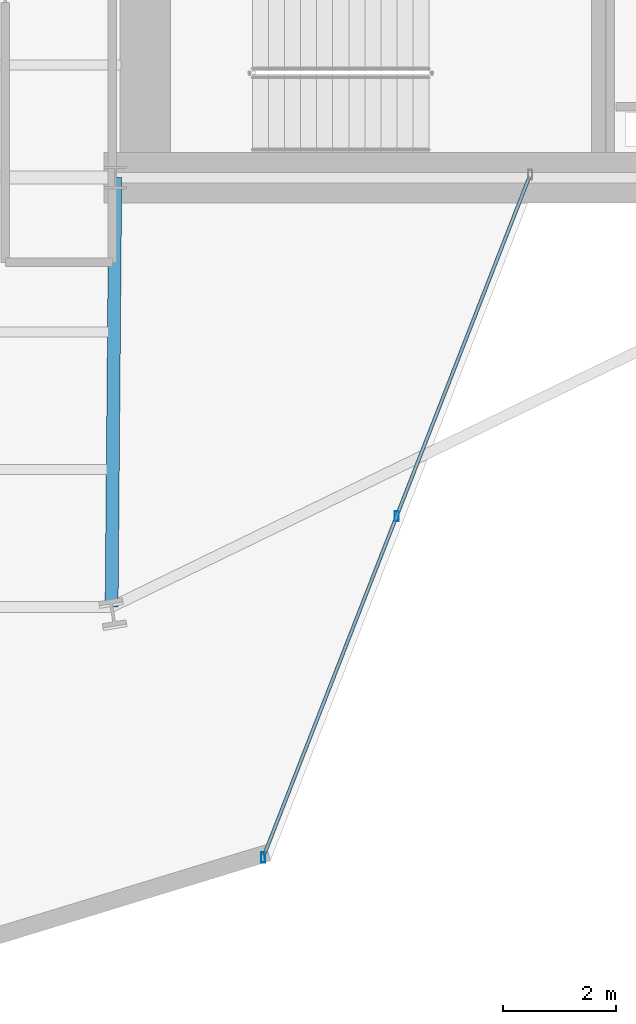
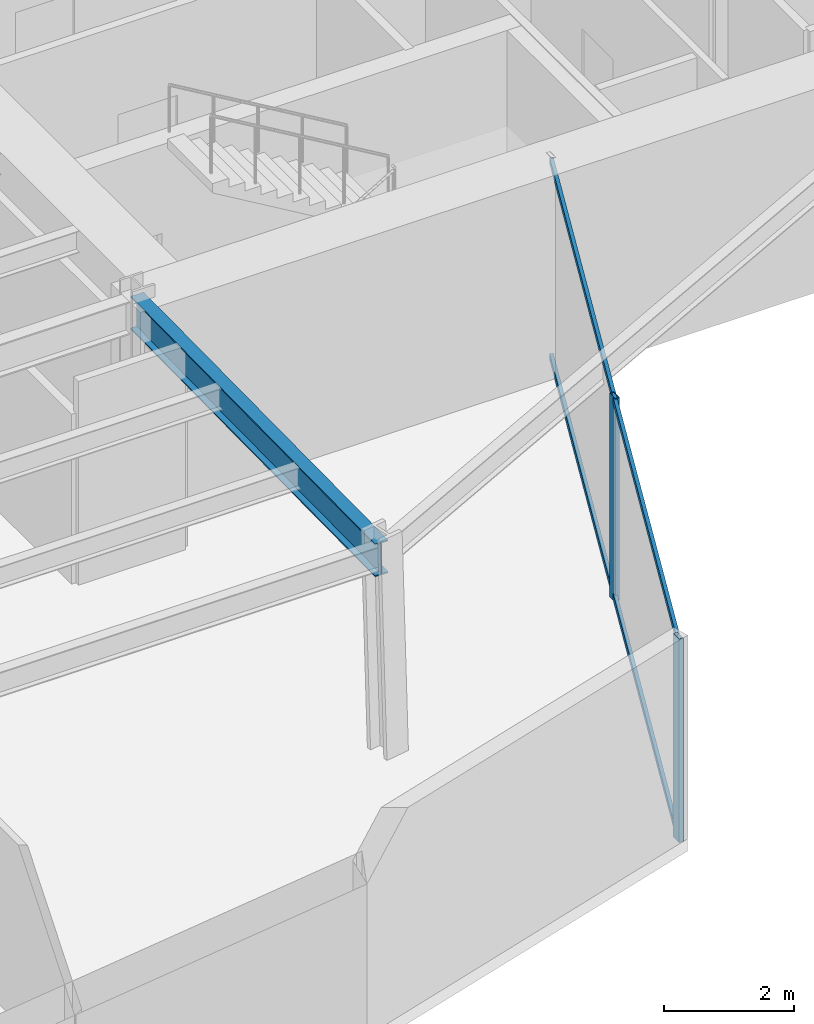
# One storey, part 13 of 29: 4 members, 1 beam, 1 element without a shape of its own.
"""IFC4 building model written with IfcOpenShell, lengths in metres."""

from ifc_helpers import new_model, si_unit, direction, frame, origin, origin_2d, place, context, subcontext, project, spatial, hollow_rectangle, i_section, extrude, material, layer, layer_set, material_profile, profile_set, type_object, element, aggregate, save


model = new_model("IFC4")

# Units and contexts
model_context = context("Model", 3, precision=1e-05, world=origin(), true_north=direction((0.0, 1.0)))
body_context = subcontext(model_context, "Body", "Model", "MODEL_VIEW")
ifc_project = project(units=[si_unit("LENGTHUNIT", "METRE"), si_unit("AREAUNIT", "SQUARE_METRE"), si_unit("VOLUMEUNIT", "CUBIC_METRE"), si_unit("PLANEANGLEUNIT", "RADIAN"), si_unit("MASSUNIT", "GRAM", prefix="KILO")], contexts=[model_context])

# Site, building, storey
site_placement = place(None, origin())
site = spatial("IfcSite", under=ifc_project, at=site_placement, CompositionType="ELEMENT")
building_placement = place(site_placement, origin())
building = spatial("IfcBuilding", under=site, at=building_placement, Name="Veymaron Broadcast Tower", CompositionType="ELEMENT")
storey_placement = place(building_placement, frame((0.0, 0.0, 58.050048828125)))
storey = spatial("IfcBuildingStorey", under=building, at=storey_placement, Name="L12", CompositionType="ELEMENT", Elevation=58.050048828125)

# Beam
ifc_material_1 = material(Name="Structural steel ASTM A992 Gr 50", Category="steel")
ifc_material_profile_1 = material_profile(ifc_material_1, i_section(OverallWidth=0.22998046875, OverallDepth=0.616943359375, WebThickness=0.01318359375, FlangeThickness=0.022216796875, at=origin_2d()), Name="W610X140")
ifc_profile_set_1 = profile_set([ifc_material_profile_1], Name="Structural steel ASTM A992 Gr 50")
beam_type = type_object("IfcBeamType", Name="BM-FG1", PredefinedType="BEAM", material=ifc_profile_set_1)
beam_placement = place(storey_placement, frame((39.0, 16.0, 3.50146484375), z_axis=(-0.008533262174, -0.999963591056, 0.0), x_axis=(0.999963591056, -0.008533262174, 0.0)))
element("IfcBeam", 1, at=beam_placement, inside=storey, type_object=beam_type, Name="L12 primary structural floor girder", PredefinedType="BEAM", context=body_context, shape_type="SweptSolid", body=[
    extrude(i_section(OverallWidth=0.22998046875, OverallDepth=0.616943359375, WebThickness=0.01318359375, FlangeThickness=0.022216796875, at=origin_2d()), origin(), (0.0, 0.0, 1.0), 7.6103515625),
])

# Curtain wall, members
ifc_material_2 = material(Name="Anodised aluminium AA 6063-T6 and laminated low-E dark glass", Category="aluminium")
ifc_layer = layer(ifc_material_2, 0.179931640625)
ifc_layer_set = layer_set([ifc_layer], Name="Anodised aluminium AA 6063-T6 and laminated low-E dark glass")
curtain_wall_type = type_object("IfcCurtainWallType", Name="CW-SYS-02", PredefinedType="NOTDEFINED", material=ifc_layer_set)
curtain_wall_placement = place(storey_placement, origin())
curtain_wall = element("IfcCurtainWall", 2, at=curtain_wall_placement, inside=storey, type_object=curtain_wall_type, Name="L12 dark-glass curtain wall CW-L12-E20-1", PredefinedType="NOTDEFINED")
ifc_material_3 = material(Name="Anodised aluminium AA 6063-T6", Category="aluminium")
ifc_material_profile_2 = material_profile(ifc_material_3, hollow_rectangle(XDim=0.074951171875, YDim=0.179931640625, WallThickness=0.0048828125, at=origin_2d()), Name="AL180X75X5")
ifc_profile_set_2 = profile_set([ifc_material_profile_2], Name="Anodised aluminium AA 6063-T6")
member_type_1 = type_object("IfcMemberType", Name="CW-MUL-02", PredefinedType="MULLION", material=ifc_profile_set_2)
member_1_placement = place(storey_placement, frame((41.6220703125, 3.947021484375, 0.0), z_axis=(0.0, 0.0, 1.0), x_axis=(1.0, 0.0, 0.0)))
member_1 = element("IfcMember", 3, at=member_1_placement, type_object=member_type_1, Name="CW-L12-E20-1 mullion 0", PredefinedType="MULLION", context=body_context, shape_type="SweptSolid", body=[
    extrude(hollow_rectangle(XDim=0.074951171875, YDim=0.179931640625, WallThickness=0.0048828125, at=origin_2d()), origin(), (0.0, 0.0, 1.0), 3.81005859375),
])
member_2_placement = place(storey_placement, frame((43.989501953125, 9.9990234375, 0.0), z_axis=(0.0, 0.0, 1.0), x_axis=(1.0, 0.0, 0.0)))
member_2 = element("IfcMember", 4, at=member_2_placement, type_object=member_type_1, Name="CW-L12-E20-1 mullion 1", PredefinedType="MULLION", context=body_context, shape_type="SweptSolid", body=[
    extrude(hollow_rectangle(XDim=0.074951171875, YDim=0.179931640625, WallThickness=0.0048828125, at=origin_2d()), origin(), (0.0, 0.0, 1.0), 3.81005859375),
])
ifc_material_profile_3 = material_profile(ifc_material_3, hollow_rectangle(XDim=0.06005859375, YDim=0.1201171875, WallThickness=0.00390625, at=origin_2d()), Name="AL120X60X4")
ifc_profile_set_3 = profile_set([ifc_material_profile_3], Name="Anodised aluminium AA 6063-T6")
member_type_2 = type_object("IfcMemberType", Name="CW-TRN-02", PredefinedType="USERDEFINED", material=ifc_profile_set_3)
member_3_placement = place(storey_placement, frame((41.64013671875, 3.99365234375, 0.070068359375), z_axis=(0.364290854908, 0.931285226464, 0.0), x_axis=(-0.931285226464, 0.364290854908, 0.0)))
member_3 = element("IfcMember", 5, at=member_3_placement, type_object=member_type_2, Name="CW-L12-E20-1 transom B", ObjectType="TRANSOM", PredefinedType="USERDEFINED", context=body_context, shape_type="SweptSolid", body=[
    extrude(hollow_rectangle(XDim=0.06005859375, YDim=0.1201171875, WallThickness=0.00390625, at=origin_2d()), origin(), (0.0, 0.0, 1.0), 12.89697265625),
])
member_4_placement = place(storey_placement, frame((41.64013671875, 3.99365234375, 3.739990234375), z_axis=(0.364290854908, 0.931285226464, 0.0), x_axis=(-0.931285226464, 0.364290854908, 0.0)))
member_4 = element("IfcMember", 6, at=member_4_placement, type_object=member_type_2, Name="CW-L12-E20-1 transom T", ObjectType="TRANSOM", PredefinedType="USERDEFINED", context=body_context, shape_type="SweptSolid", body=[
    extrude(hollow_rectangle(XDim=0.06005859375, YDim=0.1201171875, WallThickness=0.00390625, at=origin_2d()), origin(), (0.0, 0.0, 1.0), 12.89697265625),
])
aggregate(curtain_wall, [member_1, member_2, member_3, member_4])

save(model, "model.ifc")
